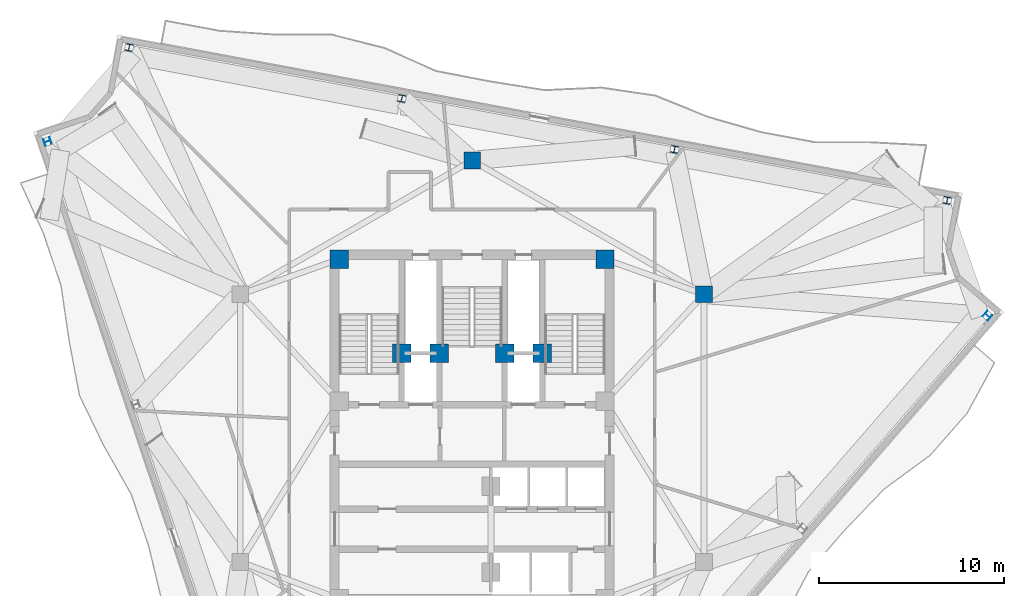
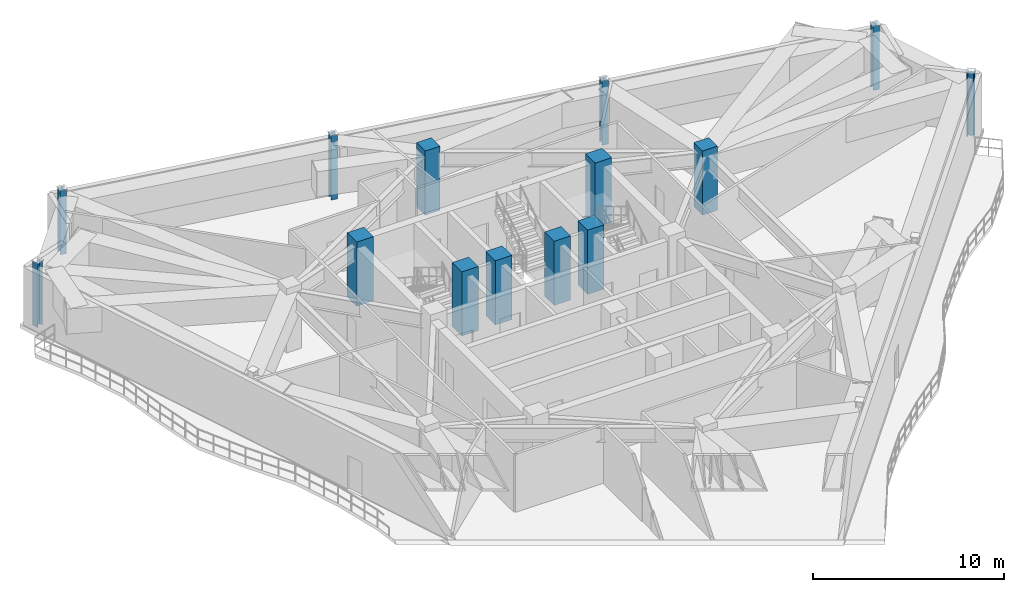
# One storey, part 2 of 10: 14 columns.
"""IFC4 building model written with IfcOpenShell, lengths in metres."""

from ifc_helpers import new_model, si_unit, direction, frame, origin, origin_2d, place, context, subcontext, project, spatial, rectangle, i_section, extrude, material, material_profile, profile_set, type_object, element, save


model = new_model("IFC4")

# Units and contexts
model_context = context("Model", 3, precision=1e-05, world=origin(), true_north=direction((0.0, 1.0)))
body_context = subcontext(model_context, "Body", "Model", "MODEL_VIEW")
ifc_project = project(units=[si_unit("LENGTHUNIT", "METRE"), si_unit("AREAUNIT", "SQUARE_METRE"), si_unit("VOLUMEUNIT", "CUBIC_METRE"), si_unit("PLANEANGLEUNIT", "RADIAN"), si_unit("MASSUNIT", "GRAM", prefix="KILO")], contexts=[model_context])

# Site, building, storey
site_placement = place(None, origin())
site = spatial("IfcSite", under=ifc_project, at=site_placement, CompositionType="ELEMENT")
building_placement = place(site_placement, origin())
building = spatial("IfcBuilding", under=site, at=building_placement, Name="Apsidion Concourse Tower", CompositionType="ELEMENT")
storey_placement = place(building_placement, frame((0.0, 0.0, 290.10009765625)))
storey = spatial("IfcBuildingStorey", under=building, at=storey_placement, Name="L68", CompositionType="ELEMENT", Elevation=290.10009765625)

# Columns
ifc_material_1 = material(Name="Concrete C50/60", Category="concrete")
ifc_material_profile_1 = material_profile(ifc_material_1, rectangle(XDim=1.0, YDim=1.0, at=origin_2d()), Name="RC 1000x1000")
ifc_profile_set_1 = profile_set([ifc_material_profile_1], Name="Concrete C50/60")
column_type_1 = type_object("IfcColumnType", Name="COL-RC-1000", PredefinedType="COLUMN", material=ifc_profile_set_1)
for number, where, z_axis, x_axis, name in (
    (1, (7.199951171875, 9.14990234375, 0.0), (0.0, 0.0, 1.0), (1.0, 0.0, 0.0), "L68 Core Super-Column SC4"),
    (2, (-7.199951171875, 9.14990234375, 0.0), (0.0, 0.0, 1.0), (1.0, 0.0, 0.0), "L68 Core Super-Column SC5"),
    (3, (-3.800048828125, 4.050048828125, 0.0), (0.0, 0.0, 1.0), (1.0, 0.0, 0.0), "L68 Core Super-Column CC1"),
    (4, (3.800048828125, 4.050048828125, 0.0), (0.0, 0.0, 1.0), (1.0, 0.0, 0.0), "L68 Core Super-Column CC2"),
    (5, (-1.77490234375, 4.050048828125, 0.0), (0.0, 0.0, 1.0), (1.0, 0.0, 0.0), "L68 Core Super-Column CC3"),
    (6, (1.77490234375, 4.050048828125, 0.0), (0.0, 0.0, 1.0), (1.0, 0.0, 0.0), "L68 Core Super-Column CC4"),
):
    element("IfcColumn", number, at=place(storey_placement, frame(where, z_axis=z_axis, x_axis=x_axis)), inside=storey, type_object=column_type_1, Name=name, PredefinedType="COLUMN", context=body_context, shape_type="SweptSolid", body=[
        extrude(rectangle(XDim=1.0, YDim=1.0, at=origin_2d()), origin(), (0.0, 0.0, 1.0), 4.099853515625),
    ])
ifc_material_profile_2 = material_profile(ifc_material_1, rectangle(XDim=0.89990234375, YDim=0.89990234375, at=origin_2d()), Name="RC 900x900")
ifc_profile_set_2 = profile_set([ifc_material_profile_2], Name="Concrete C50/60")
column_type_2 = type_object("IfcColumnType", Name="COL-RC-900", PredefinedType="COLUMN", material=ifc_profile_set_2)
for number, where, z_axis, x_axis, name in (
    (7, (12.56005859375, 7.25, 0.0), (0.0, 0.0, 1.0), (1.0, 0.0, 0.0), "L68 Interior Spine Column IC3"),
    (8, (0.0, 14.5, 0.0), (0.0, 0.0, 1.0), (1.0, 0.0, 0.0), "L68 Interior Spine Column IC4"),
):
    element("IfcColumn", number, at=place(storey_placement, frame(where, z_axis=z_axis, x_axis=x_axis)), inside=storey, type_object=column_type_2, Name=name, PredefinedType="COLUMN", context=body_context, shape_type="SweptSolid", body=[
        extrude(rectangle(XDim=0.89990234375, YDim=0.89990234375, at=origin_2d()), origin(), (0.0, 0.0, 1.0), 4.099853515625),
    ])
ifc_material_2 = material(Name="Structural steel ASTM A992 Grade 50", Category="steel")
ifc_material_profile_3 = material_profile(ifc_material_2, i_section(OverallWidth=0.373046875, OverallDepth=0.373046875, WebThickness=0.016357421875, FlangeThickness=0.026123046875, at=origin_2d()), Name="W14X132")
ifc_profile_set_3 = profile_set([ifc_material_profile_3], Name="Structural steel ASTM A992 Grade 50")
column_type_3 = type_object("IfcColumnType", Name="COL-W14-132", PredefinedType="COLUMN", material=ifc_profile_set_3)
for number, where, z_axis, x_axis, name in (
    (9, (-23.00439453125, 15.53125, 0.0), (0.0, 0.0, 1.0), (-0.318628456287, 0.947879690069, 0.0), "L68 Rotated Perimeter Column PC01"),
    (10, (27.91455078125, 6.091064453125, 0.0), (0.0, 0.0, 1.0), (0.656059028991, 0.754709580223, 0.0), "L68 Rotated Perimeter Column PC08"),
    (11, (25.73779296875, 12.33837890625, 0.0), (0.0, 0.0, 1.0), (-0.982999500399, 0.183608230249, 0.0), "L68 Rotated Perimeter Column PC09"),
    (12, (10.964599609375, 15.0986328125, 0.0), (0.0, 0.0, 1.0), (-0.982999500399, 0.183608230249, 0.0), "L68 Rotated Perimeter Column PC10"),
    (13, (-3.80859375, 17.85888671875, 0.0), (0.0, 0.0, 1.0), (-0.982999500399, 0.183608230249, 0.0), "L68 Rotated Perimeter Column PC11"),
    (14, (-18.58154296875, 20.619140625, 0.0), (0.0, 0.0, 1.0), (-0.982999500399, 0.183608230249, 0.0), "L68 Rotated Perimeter Column PC12"),
):
    element("IfcColumn", number, at=place(storey_placement, frame(where, z_axis=z_axis, x_axis=x_axis)), inside=storey, type_object=column_type_3, Name=name, PredefinedType="COLUMN", context=body_context, shape_type="SweptSolid", body=[
        extrude(i_section(OverallWidth=0.373046875, OverallDepth=0.373046875, WebThickness=0.016357421875, FlangeThickness=0.026123046875, at=origin_2d()), origin(), (0.0, 0.0, 1.0), 4.099853515625),
    ])

save(model, "model.ifc")
